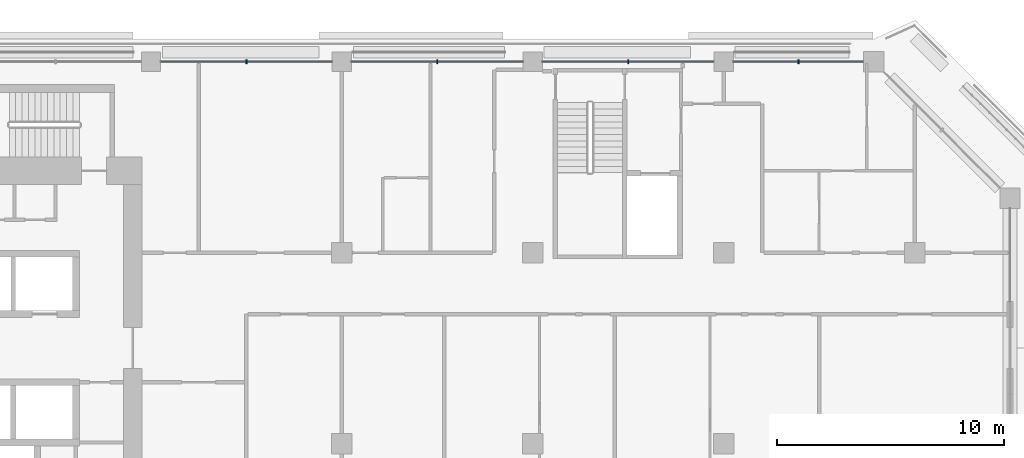
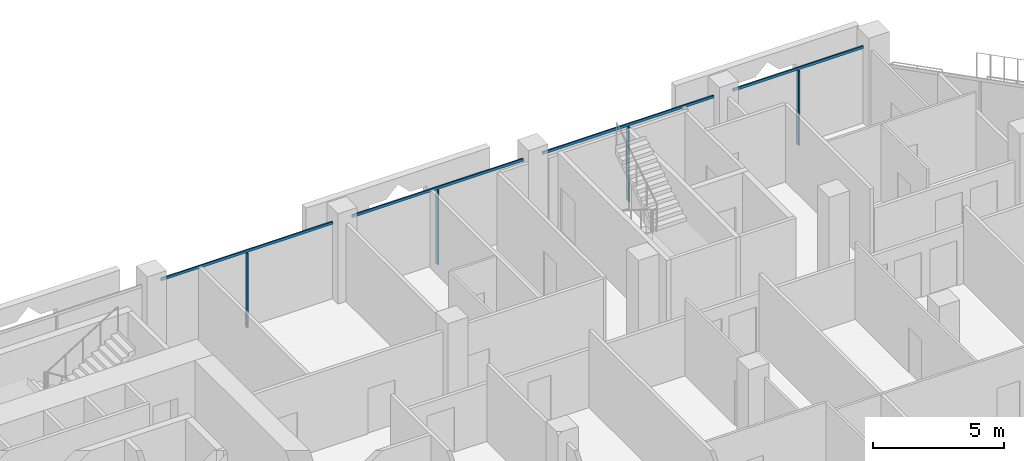
# One storey, part 6 of 20: 8 members, 1 element without a shape of its own.
"""IFC4 building model written with IfcOpenShell, lengths in metres."""

import ifcopenshell
import ifcopenshell.guid

model = None  # the IFC model being written
_history = None  # IfcOwnerHistory: only IFC2X3 demands one
_inside = {}  # id of a spatial element -> (the spatial element, [elements in it])
_under = {}  # id of a project, library or spatial element -> (it, [spatial elements below it])
_declared = {}  # id of a project -> (the project, [libraries it declares])
_typed = {}  # id of a type object -> (the type object, [elements of that type])
_made_of = {}  # id of a material, layer set ... -> (it, [elements and type objects made of it])


def new_model(schema):
    """Start an empty IFC model of exactly this schema.

    Asked for "IFC4X3", IfcOpenShell would pick the latest addendum, in which some entities
    have other attributes; the version numbers below select the first issue.
    IFC2X3 requires an IfcOwnerHistory on every rooted entity: one is made here for all.
    """
    global model, _history
    if schema == "IFC4X3":
        model = ifcopenshell.file(schema_version=(4, 3, 0, 0))
    else:
        model = ifcopenshell.file(schema=schema)
    _inside.clear()
    _under.clear()
    _declared.clear()
    _typed.clear()
    _made_of.clear()
    _history = None
    if model.schema == "IFC2X3":
        org = make("IfcOrganization", Name="unknown")
        user = make(
            "IfcPersonAndOrganization",
            ThePerson=make("IfcPerson", FamilyName="unknown"),
            TheOrganization=org,
        )
        app = make(
            "IfcApplication",
            ApplicationDeveloper=org,
            Version="unknown",
            ApplicationFullName="unknown",
            ApplicationIdentifier="unknown",
        )
        _history = make(
            "IfcOwnerHistory",
            OwningUser=user,
            OwningApplication=app,
            ChangeAction="ADDED",
            CreationDate=0,
        )
    return model


def make(cls, **values):
    """One entity of the class cls with the attributes given. An attribute that is None is left unset."""
    return model.create_entity(
        cls, **{name: value for name, value in values.items() if value is not None}
    )


def rooted(cls, **values):
    """An entity with a GlobalId (a new one), such as an element, a storey or a relation."""
    return make(cls, GlobalId=ifcopenshell.guid.new(), OwnerHistory=_history, **values)


def si_unit(unit_type, name, prefix=None):
    """IfcSIUnit, for example si_unit("LENGTHUNIT", "METRE", prefix="MILLI")."""
    return make("IfcSIUnit", UnitType=unit_type, Prefix=prefix, Name=name)


def assignment(units):
    """IfcUnitAssignment: the units of a project."""
    return None if units is None else make("IfcUnitAssignment", Units=units)


def point(xyz):
    """IfcCartesianPoint."""
    return None if xyz is None else make("IfcCartesianPoint", Coordinates=xyz)


def direction(xyz):
    """IfcDirection."""
    return None if xyz is None else make("IfcDirection", DirectionRatios=xyz)


def frame(location, z_axis=None, x_axis=None):
    """IfcAxis2Placement3D, a coordinate frame: its origin and axes. An axis left out is left unset."""
    return make(
        "IfcAxis2Placement3D",
        Location=point(location),
        Axis=direction(z_axis),
        RefDirection=direction(x_axis),
    )


def frame_2d(location, x_axis=None):
    """IfcAxis2Placement2D, a coordinate frame in the plane: its origin and x axis."""
    return make(
        "IfcAxis2Placement2D", Location=point(location), RefDirection=direction(x_axis)
    )


def origin():
    """The frame at (0, 0, 0) with its axes left unset."""
    return frame((0.0, 0.0, 0.0))


def origin_2d():
    """The frame at (0, 0) in the plane with its x axis left unset."""
    return frame_2d((0.0, 0.0))


def place(relative_to, where):
    """IfcLocalPlacement: puts the frame where relative to a parent placement (None: the world)."""
    return make(
        "IfcLocalPlacement", PlacementRelTo=relative_to, RelativePlacement=where
    )


def context(
    kind, dimensions, precision=None, world=None, true_north=None, identifier=None
):
    """IfcGeometricRepresentationContext, for example the 3D "Model" context."""
    return make(
        "IfcGeometricRepresentationContext",
        ContextIdentifier=identifier,
        ContextType=kind,
        CoordinateSpaceDimension=dimensions,
        Precision=precision,
        WorldCoordinateSystem=world,
        TrueNorth=true_north,
    )


def subcontext(parent, identifier, kind, view, scale=None):
    """IfcGeometricRepresentationSubContext, for example "Body" below "Model"."""
    return make(
        "IfcGeometricRepresentationSubContext",
        ContextIdentifier=identifier,
        ContextType=kind,
        ParentContext=parent,
        TargetScale=scale,
        TargetView=view,
    )


def project(units=None, contexts=None):
    """IfcProject with its units and contexts."""
    return rooted(
        "IfcProject",
        Name="project",
        RepresentationContexts=contexts,
        UnitsInContext=assignment(units),
    )


def spatial(cls, under=None, at=None, **own):
    """A site, building, storey or space (cls), placed at a placement, below another one or the project."""
    s = rooted(cls, ObjectPlacement=at, **own)
    if under is not None:
        _under.setdefault(under.id(), (under, []))[1].append(s)
    return s


def profile(cls, at=None, kind="AREA", **sizes):
    """A parametric profile (cls). Its sizes go by their IFC names, for example OverallWidth=200.0."""
    return make(cls, ProfileType=kind, Position=at, **sizes)


def rectangle(**sizes):
    """IfcRectangleProfileDef."""
    return profile("IfcRectangleProfileDef", **sizes)


def extrude(swept, where, along, depth):
    """IfcExtrudedAreaSolid: the profile swept, set in the frame where, extruded along a direction by depth."""
    return make(
        "IfcExtrudedAreaSolid",
        SweptArea=swept,
        Position=where,
        ExtrudedDirection=direction(along),
        Depth=depth,
    )


def shape(context_of_items, identifier, shape_type, items):
    """IfcShapeRepresentation: the items that make up one representation, for example the "Body"."""
    return make(
        "IfcShapeRepresentation",
        ContextOfItems=context_of_items,
        RepresentationIdentifier=identifier,
        RepresentationType=shape_type,
        Items=items,
    )


def material(Name=None, Category=None):
    """IfcMaterial."""
    return make("IfcMaterial", Name=Name, Category=Category)


def layer(
    of_material, thickness, ventilated=None, Name=None, Category=None, Priority=None
):
    """IfcMaterialLayer: one layer of a wall or slab, of a material (None: an air gap)."""
    return make(
        "IfcMaterialLayer",
        Material=of_material,
        LayerThickness=thickness,
        IsVentilated=ventilated,
        Name=Name,
        Category=Category,
        Priority=Priority,
    )


def layer_set(layers, Name=None):
    """IfcMaterialLayerSet."""
    return make("IfcMaterialLayerSet", MaterialLayers=layers, LayerSetName=Name)


def material_profile(
    of_material, cross_section, Name=None, Category=None, Priority=None
):
    """IfcMaterialProfile: a cross section and its material."""
    return make(
        "IfcMaterialProfile",
        Name=Name,
        Material=of_material,
        Profile=cross_section,
        Priority=Priority,
        Category=Category,
    )


def profile_set(profiles, Name=None, composite=None):
    """IfcMaterialProfileSet."""
    return make(
        "IfcMaterialProfileSet",
        Name=Name,
        MaterialProfiles=profiles,
        CompositeProfile=composite,
    )


def made_of(thing, what):
    """Note that an element or type object is made of a material, layer set ...; save() writes the relation."""
    if what is not None:
        _made_of.setdefault(what.id(), (what, []))[1].append(thing)
    return thing


def type_object(cls, material=None, **own):
    """A type object (cls), such as IfcWallType, which elements share."""
    return made_of(rooted(cls, **own), material)


def element(
    cls,
    number,
    at=None,
    inside=None,
    cuts=None,
    type_object=None,
    material=None,
    context=None,
    identifier="Body",
    shape_type=None,
    held_by="IfcProductDefinitionShape",
    body=None,
    shapes=None,
    **own,
):
    """One element of the class cls, such as IfcWall. Its Tag is "e" and its number.

    at: its placement. inside: the storey or other place that contains it. cuts: it is an
    opening in that element (IfcRelVoidsElement). A single representation is given by context,
    identifier, shape_type and body (its items); several are given by shapes. held_by: the class
    of the entity that holds the representations. save() writes the other relations.
    """
    e = rooted(cls, Tag="e%d" % number, ObjectPlacement=at, **own)
    if body is not None:
        shapes = [shape(context, identifier, shape_type, body)]
    if shapes is not None:
        e.Representation = make(held_by, Representations=shapes)
    if inside is not None:
        _inside.setdefault(inside.id(), (inside, []))[1].append(e)
    if cuts is not None:
        rooted(
            "IfcRelVoidsElement", RelatingBuildingElement=cuts, RelatedOpeningElement=e
        )
    if type_object is not None:
        _typed.setdefault(type_object.id(), (type_object, []))[1].append(e)
    return made_of(e, material)


def aggregate(whole, parts):
    """IfcRelAggregates: a whole, such as a stair, and the parts it consists of."""
    return rooted("IfcRelAggregates", RelatingObject=whole, RelatedObjects=parts)


def save(model, path):
    """Write the relations noted so far, then the file.

    IfcRelAggregates (storeys below a building ...), IfcRelContainedInSpatialStructure (elements
    in a storey), IfcRelDefinesByType, IfcRelAssociatesMaterial and IfcRelDeclares: one each for
    every whole, place, type object, material and project.
    """
    for whole, parts in _under.values():
        aggregate(whole, parts)
    for where, things in _inside.values():
        rooted(
            "IfcRelContainedInSpatialStructure",
            RelatedElements=things,
            RelatingStructure=where,
        )
    for kind, things in _typed.values():
        rooted("IfcRelDefinesByType", RelatedObjects=things, RelatingType=kind)
    for what, things in _made_of.values():
        rooted("IfcRelAssociatesMaterial", RelatedObjects=things, RelatingMaterial=what)
    for by, libraries in _declared.values():
        rooted("IfcRelDeclares", RelatingContext=by, RelatedDefinitions=libraries)
    model.write(path)


model = new_model("IFC4")

# Units and contexts
model_context = context("Model", 3, precision=1e-05, world=origin(), true_north=direction((0.0, 1.0)))
body_context = subcontext(model_context, "Body", "Model", "MODEL_VIEW")
ifc_project = project(units=[si_unit("LENGTHUNIT", "METRE"), si_unit("AREAUNIT", "SQUARE_METRE"), si_unit("VOLUMEUNIT", "CUBIC_METRE"), si_unit("PLANEANGLEUNIT", "RADIAN"), si_unit("MASSUNIT", "GRAM", prefix="KILO")], contexts=[model_context])

# Site, building, storey
site_placement = place(None, origin())
site = spatial("IfcSite", under=ifc_project, at=site_placement, CompositionType="ELEMENT")
building_placement = place(site_placement, origin())
building = spatial("IfcBuilding", under=site, at=building_placement, Name="Kawkab Arch Medical Tower", CompositionType="ELEMENT")
storey_placement = place(building_placement, frame((0.0, 0.0, 239.0)))
storey = spatial("IfcBuildingStorey", under=building, at=storey_placement, Name="L55", CompositionType="ELEMENT", Elevation=239.0)

# Curtain wall, members
ifc_material_1 = material(Name="Bronze anodised aluminium curtain wall frame", Category="aluminium")
ifc_layer = layer(ifc_material_1, 0.159912109375)
ifc_layer_set = layer_set([ifc_layer], Name="Bronze anodised aluminium curtain wall frame")
curtain_wall_type = type_object("IfcCurtainWallType", Name="CW1 ward curtain wall", PredefinedType="NOTDEFINED", material=ifc_layer_set)
curtain_wall_placement = place(storey_placement, origin())
curtain_wall = element("IfcCurtainWall", 1, at=curtain_wall_placement, inside=storey, type_object=curtain_wall_type, Name="CW1 Ward curtain wall R11", PredefinedType="NOTDEFINED")
ifc_material_2 = material(Name="Bronze anodised aluminium curtain wall frame", Category="aluminium")
ifc_material_profile_1 = material_profile(ifc_material_2, rectangle(XDim=0.179931640625, YDim=0.06005859375, at=origin_2d()), Name="AL 60x180")
ifc_profile_set_1 = profile_set([ifc_material_profile_1], Name="Bronze anodised aluminium curtain wall frame")
member_type_1 = type_object("IfcMemberType", Name="CW1 mullion 60 x 180", PredefinedType="MULLION", material=ifc_profile_set_1)
member_1_placement = place(storey_placement, frame((53.6875, 0.0, 0.0), z_axis=(0.0, 0.0, 1.0), x_axis=(0.0, -1.0, 0.0)))
member_1 = element("IfcMember", 2, at=member_1_placement, type_object=member_type_1, Name="CW1 mullion 1.1", PredefinedType="MULLION", context=body_context, shape_type="SweptSolid", body=[
    extrude(rectangle(XDim=0.179931640625, YDim=0.06005859375, at=origin_2d()), origin(), (0.0, 0.0, 1.0), 3.47998046875),
])
member_2_placement = place(storey_placement, frame((46.199951171875, 0.0, 0.0), z_axis=(0.0, 0.0, 1.0), x_axis=(0.0, -1.0, 0.0)))
member_2 = element("IfcMember", 3, at=member_2_placement, type_object=member_type_1, Name="CW1 mullion 2.1", PredefinedType="MULLION", context=body_context, shape_type="SweptSolid", body=[
    extrude(rectangle(XDim=0.179931640625, YDim=0.06005859375, at=origin_2d()), origin(), (0.0, 0.0, 1.0), 3.47998046875),
])
member_3_placement = place(storey_placement, frame((37.800048828125, 0.0, 0.0), z_axis=(0.0, 0.0, 1.0), x_axis=(0.0, -1.0, 0.0)))
member_3 = element("IfcMember", 4, at=member_3_placement, type_object=member_type_1, Name="CW1 mullion 3.1", PredefinedType="MULLION", context=body_context, shape_type="SweptSolid", body=[
    extrude(rectangle(XDim=0.179931640625, YDim=0.06005859375, at=origin_2d()), origin(), (0.0, 0.0, 1.0), 3.47998046875),
])
member_4_placement = place(storey_placement, frame((29.39990234375, 0.0, 0.0), z_axis=(0.0, 0.0, 1.0), x_axis=(0.0, -1.0, 0.0)))
member_4 = element("IfcMember", 5, at=member_4_placement, type_object=member_type_1, Name="CW1 mullion 4.1", PredefinedType="MULLION", context=body_context, shape_type="SweptSolid", body=[
    extrude(rectangle(XDim=0.179931640625, YDim=0.06005859375, at=origin_2d()), origin(), (0.0, 0.0, 1.0), 3.47998046875),
])
ifc_material_3 = material(Name="Bronze anodised aluminium curtain wall frame", Category="aluminium")
ifc_material_profile_2 = material_profile(ifc_material_3, rectangle(XDim=0.06005859375, YDim=0.1201171875, at=origin_2d()), Name="AL 60x120")
ifc_profile_set_2 = profile_set([ifc_material_profile_2], Name="Bronze anodised aluminium curtain wall frame")
member_type_2 = type_object("IfcMemberType", Name="CW1 transom 120 x 60", PredefinedType="USERDEFINED", material=ifc_profile_set_2)
member_5_placement = place(storey_placement, frame((56.550048828125, 0.0, 3.5400390625), z_axis=(-1.0, 0.0, 0.0), x_axis=(0.0, -1.0, 0.0)))
member_5 = element("IfcMember", 6, at=member_5_placement, type_object=member_type_2, Name="CW1 transom 1", ObjectType="TRANSOM", PredefinedType="USERDEFINED", context=body_context, shape_type="SweptSolid", body=[
    extrude(rectangle(XDim=0.06005859375, YDim=0.1201171875, at=origin_2d()), origin(), (0.0, 0.0, 1.0), 5.72509765625),
])
member_6_placement = place(storey_placement, frame((49.97509765625, 0.0, 3.5400390625), z_axis=(-1.0, 0.0, 0.0), x_axis=(0.0, -1.0, 0.0)))
member_6 = element("IfcMember", 7, at=member_6_placement, type_object=member_type_2, Name="CW1 transom 2", ObjectType="TRANSOM", PredefinedType="USERDEFINED", context=body_context, shape_type="SweptSolid", body=[
    extrude(rectangle(XDim=0.06005859375, YDim=0.1201171875, at=origin_2d()), origin(), (0.0, 0.0, 1.0), 7.550048828125),
])
member_7_placement = place(storey_placement, frame((41.574951171875, 0.0, 3.5400390625), z_axis=(-1.0, 0.0, 0.0), x_axis=(0.0, -1.0, 0.0)))
member_7 = element("IfcMember", 8, at=member_7_placement, type_object=member_type_2, Name="CW1 transom 3", ObjectType="TRANSOM", PredefinedType="USERDEFINED", context=body_context, shape_type="SweptSolid", body=[
    extrude(rectangle(XDim=0.06005859375, YDim=0.1201171875, at=origin_2d()), origin(), (0.0, 0.0, 1.0), 7.550048828125),
])
member_8_placement = place(storey_placement, frame((33.175048828125, 0.0, 3.5400390625), z_axis=(-1.0, 0.0, 0.0), x_axis=(0.0, -1.0, 0.0)))
member_8 = element("IfcMember", 9, at=member_8_placement, type_object=member_type_2, Name="CW1 transom 4", ObjectType="TRANSOM", PredefinedType="USERDEFINED", context=body_context, shape_type="SweptSolid", body=[
    extrude(rectangle(XDim=0.06005859375, YDim=0.1201171875, at=origin_2d()), origin(), (0.0, 0.0, 1.0), 7.550048828125),
])
aggregate(curtain_wall, [member_5, member_1, member_6, member_2, member_7, member_3, member_8, member_4])

save(model, "model.ifc")
